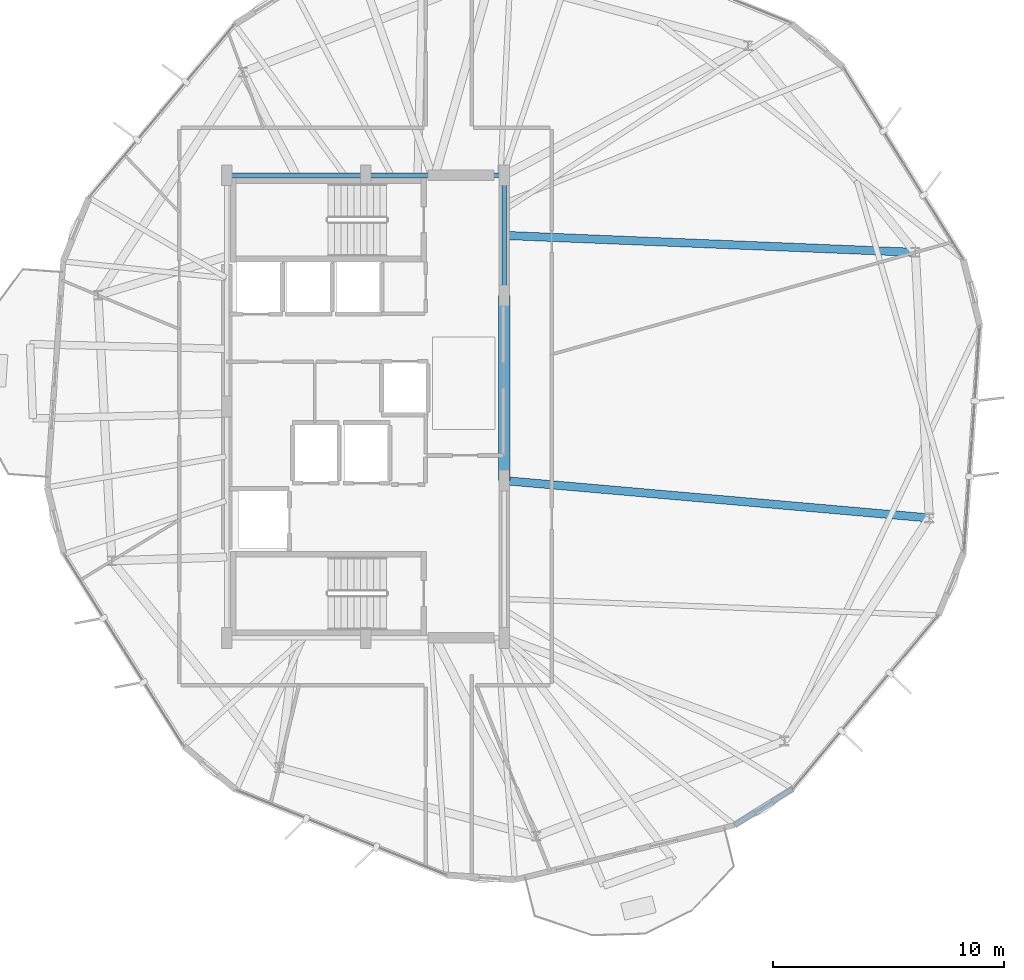
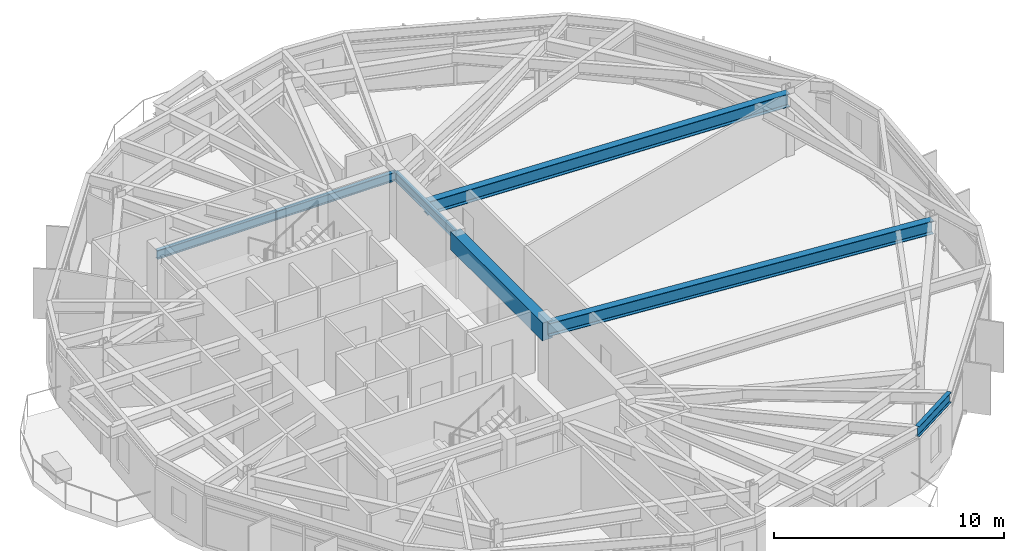
# One storey, part 7 of 23: 7 beams.
"""IFC4 building model written with IfcOpenShell, lengths in metres."""

from ifc_helpers import new_model, si_unit, direction, frame, origin, origin_2d, place, context, subcontext, project, spatial, rectangle, i_section, extrude, material, material_profile, profile_set, type_object, element, save


model = new_model("IFC4")

# Units and contexts
model_context = context("Model", 3, precision=1e-05, world=origin(), true_north=direction((0.0, 1.0)))
body_context = subcontext(model_context, "Body", "Model", "MODEL_VIEW")
ifc_project = project(units=[si_unit("LENGTHUNIT", "METRE"), si_unit("AREAUNIT", "SQUARE_METRE"), si_unit("VOLUMEUNIT", "CUBIC_METRE"), si_unit("PLANEANGLEUNIT", "RADIAN"), si_unit("MASSUNIT", "GRAM", prefix="KILO")], contexts=[model_context])

# Site, building, storey
site_placement = place(None, origin())
site = spatial("IfcSite", under=ifc_project, at=site_placement, CompositionType="ELEMENT")
building_placement = place(site_placement, origin())
building = spatial("IfcBuilding", under=site, at=building_placement, Name="Soratama Intermodal Tower", CompositionType="ELEMENT")
storey_placement = place(building_placement, frame((0.0, 0.0, 215.800048828125)))
storey = spatial("IfcBuildingStorey", under=building, at=storey_placement, Name="L54", CompositionType="ELEMENT", Elevation=215.800048828125)

# Beams
ifc_material_1 = material(Name="Concrete f'c 56 MPa", Category="concrete")
ifc_material_profile_1 = material_profile(ifc_material_1, rectangle(XDim=0.5, YDim=0.949951171875, at=origin_2d()), Name="RC500X950")
ifc_profile_set_1 = profile_set([ifc_material_profile_1], Name="Concrete f'c 56 MPa")
beam_type_1 = type_object("IfcBeamType", Name="BM-CPL-RC500X950", PredefinedType="BEAM", material=ifc_profile_set_1)
beam_1_placement = place(storey_placement, frame((44.60009765625, 21.800048828125, 2.824951171875), z_axis=(0.0, 1.0, 0.0), x_axis=(-1.0, 0.0, 0.0)))
element("IfcBeam", 1, at=beam_1_placement, inside=storey, type_object=beam_type_1, Name="L54 Core Coupling Beam East", PredefinedType="BEAM", context=body_context, shape_type="SweptSolid", body=[
    extrude(rectangle(XDim=0.5, YDim=0.949951171875, at=origin_2d()), origin(), (0.0, 0.0, 1.0), 8.0),
])
ifc_material_2 = material(Name="Structural steel ASTM A992 Grade 50", Category="steel")
ifc_material_profile_2 = material_profile(ifc_material_2, i_section(OverallWidth=0.19091796875, OverallDepth=0.4599609375, WebThickness=0.010009765625, FlangeThickness=0.01611328125, FilletRadius=0.010986328125, at=origin_2d()), Name="W18X55")
ifc_profile_set_2 = profile_set([ifc_material_profile_2], Name="Structural steel ASTM A992 Grade 50")
beam_type_2 = type_object("IfcBeamType", Name="BM-FLR-W18X55", PredefinedType="BEAM", material=ifc_profile_set_2)
beam_2_placement = place(storey_placement, frame((44.60009765625, 29.800048828125, 3.070068359375), z_axis=(0.0, 1.0, 0.0), x_axis=(-1.0, 0.0, 0.0)))
element("IfcBeam", 2, at=beam_2_placement, inside=storey, type_object=beam_type_2, Name="BM-L54-CRING-05", PredefinedType="BEAM", context=body_context, shape_type="SweptSolid", body=[
    extrude(i_section(OverallWidth=0.19091796875, OverallDepth=0.4599609375, WebThickness=0.010009765625, FlangeThickness=0.01611328125, FilletRadius=0.010986328125, at=origin_2d()), origin(), (0.0, 0.0, 1.0), 5.199951171875),
])
for number, where, z_axis, x_axis, name in (
    (3, (44.60009765625, 35.0, 3.070068359375), (-1.0, 0.0, 0.0), (0.0, -1.0, 0.0), "BM-L54-CRING-06"),
    (4, (38.60009765625, 35.0, 3.070068359375), (-1.0, 0.0, 0.0), (0.0, -1.0, 0.0), "BM-L54-CRING-07"),
):
    element("IfcBeam", number, at=place(storey_placement, frame(where, z_axis=z_axis, x_axis=x_axis)), inside=storey, type_object=beam_type_2, Name=name, PredefinedType="BEAM", context=body_context, shape_type="SweptSolid", body=[
        extrude(i_section(OverallWidth=0.19091796875, OverallDepth=0.4599609375, WebThickness=0.010009765625, FlangeThickness=0.01611328125, FilletRadius=0.010986328125, at=origin_2d()), origin(), (0.0, 0.0, 1.0), 6.0),
    ])
ifc_material_3 = material(Name="Structural steel ASTM A992 Grade 50", Category="steel")
ifc_material_profile_3 = material_profile(ifc_material_3, i_section(OverallWidth=0.35498046875, OverallDepth=0.695068359375, WebThickness=0.015380859375, FlangeThickness=0.02490234375, FilletRadius=0.01611328125, at=origin_2d()), Name="W27X146")
ifc_profile_set_3 = profile_set([ifc_material_profile_3], Name="Structural steel ASTM A992 Grade 50")
beam_type_3 = type_object("IfcBeamType", Name="BM-RING-W27X146", PredefinedType="BEAM", material=ifc_profile_set_3)
beam_3_placement = place(storey_placement, frame((44.60009765625, 32.39990234375, 2.952392578125), z_axis=(0.999147788389, -0.041275864109, 0.0), x_axis=(0.041275864109, 0.999147788389, 0.0)))
element("IfcBeam", 5, at=beam_3_placement, inside=storey, type_object=beam_type_3, Name="BM-L54-RAD-01", PredefinedType="BEAM", context=body_context, shape_type="SweptSolid", body=[
    extrude(i_section(OverallWidth=0.35498046875, OverallDepth=0.695068359375, WebThickness=0.015380859375, FlangeThickness=0.02490234375, FilletRadius=0.01611328125, at=origin_2d()), origin(), (0.0, 0.0, 1.0), 17.780029296875),
])
beam_4_placement = place(storey_placement, frame((44.60009765625, 21.800048828125, 2.952392578125), z_axis=(0.996160716813, -0.087543282317, 0.0), x_axis=(0.087543282317, 0.996160716813, 0.0)))
element("IfcBeam", 6, at=beam_4_placement, inside=storey, type_object=beam_type_3, Name="BM-L54-RAD-10", PredefinedType="BEAM", context=body_context, shape_type="SweptSolid", body=[
    extrude(i_section(OverallWidth=0.35498046875, OverallDepth=0.695068359375, WebThickness=0.015380859375, FlangeThickness=0.02490234375, FilletRadius=0.01611328125, at=origin_2d()), origin(), (0.0, 0.0, 1.0), 18.436767578125),
])
ifc_material_4 = material(Name="Structural steel ASTM A992 Grade 50", Category="steel")
ifc_material_profile_4 = material_profile(ifc_material_4, i_section(OverallWidth=0.2099609375, OverallDepth=0.537109375, WebThickness=0.010986328125, FlangeThickness=0.017333984375, FilletRadius=0.012939453125, at=origin_2d()), Name="W21X68")
ifc_profile_set_4 = profile_set([ifc_material_profile_4], Name="Structural steel ASTM A992 Grade 50")
beam_type_4 = type_object("IfcBeamType", Name="BM-SPN-W21X68", PredefinedType="SPANDREL", material=ifc_profile_set_4)
beam_5_placement = place(storey_placement, frame((54.550048828125, 6.905029296875, 3.031494140625), z_axis=(0.84820632616, 0.529665959131, 0.0), x_axis=(-0.529665959131, 0.84820632616, 0.0)))
element("IfcBeam", 7, at=beam_5_placement, inside=storey, type_object=beam_type_4, Name="BS-L54-CRN07", PredefinedType="SPANDREL", context=body_context, shape_type="SweptSolid", body=[
    extrude(i_section(OverallWidth=0.2099609375, OverallDepth=0.537109375, WebThickness=0.010986328125, FlangeThickness=0.017333984375, FilletRadius=0.012939453125, at=origin_2d()), origin(), (0.0, 0.0, 1.0), 2.966064453125),
])

save(model, "model.ifc")
